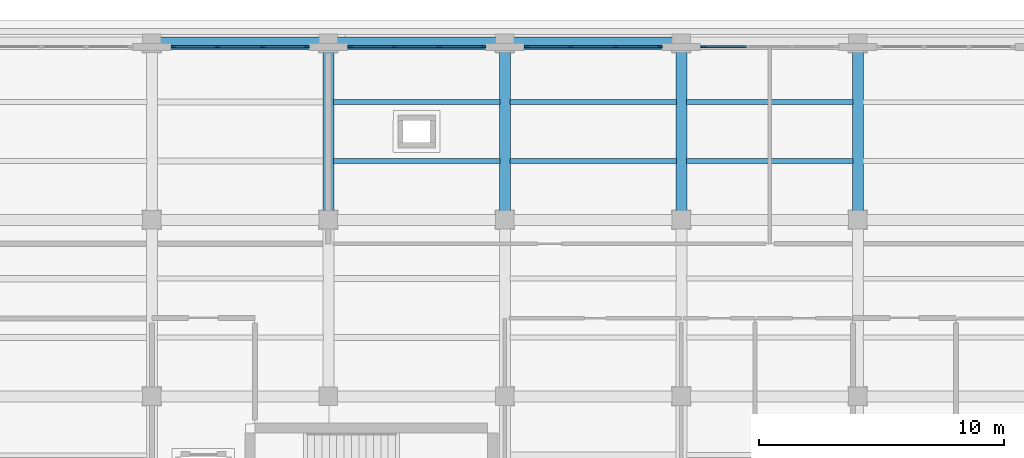
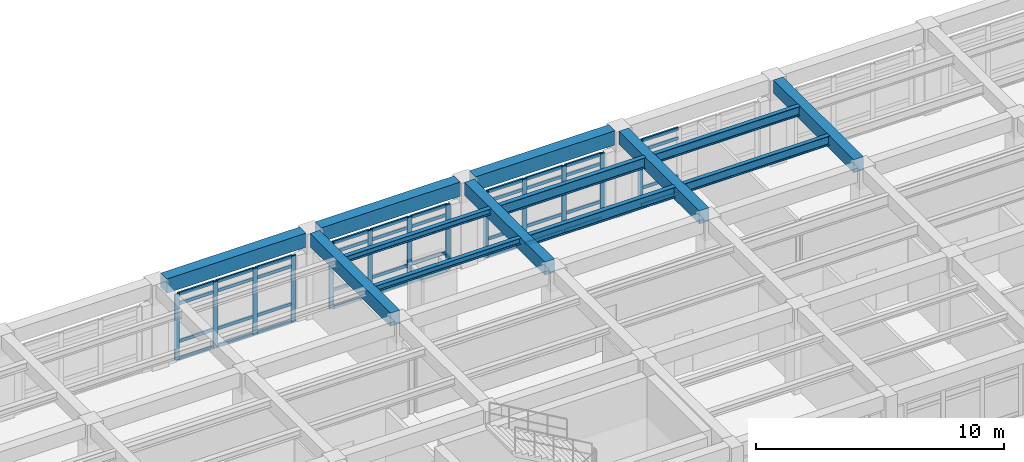
# One storey, part 30 of 67: 53 members, 13 beams, 4 elements without a shape of their own.
"""IFC4 building model written with IfcOpenShell, lengths in metres."""

from ifc_helpers import new_model, si_unit, direction, frame, origin, origin_2d, place, context, subcontext, project, spatial, rectangle, i_section, extrude, material, layer, layer_set, material_profile, profile_set, type_object, element, aggregate, save


model = new_model("IFC4")

# Units and contexts
model_context = context("Model", 3, precision=1e-05, world=origin(), true_north=direction((0.0, 1.0)))
body_context = subcontext(model_context, "Body", "Model", "MODEL_VIEW")
ifc_project = project(units=[si_unit("LENGTHUNIT", "METRE"), si_unit("AREAUNIT", "SQUARE_METRE"), si_unit("VOLUMEUNIT", "CUBIC_METRE"), si_unit("PLANEANGLEUNIT", "RADIAN"), si_unit("MASSUNIT", "GRAM", prefix="KILO")], contexts=[model_context])

# Site, building, storey
site_placement = place(None, origin())
site = spatial("IfcSite", under=ifc_project, at=site_placement, CompositionType="ELEMENT")
building_placement = place(site_placement, origin())
building = spatial("IfcBuilding", under=site, at=building_placement, Name="Solenvale Faculty of Natural Sciences", CompositionType="ELEMENT")
storey_placement = place(building_placement, frame((0.0, 0.0, 13.5)))
storey = spatial("IfcBuildingStorey", under=building, at=storey_placement, Name="L03", CompositionType="ELEMENT", Elevation=13.5)

# Beams
ifc_material_1 = material(Name="Concrete 40 MPa", Category="concrete")
ifc_material_profile_1 = material_profile(ifc_material_1, rectangle(XDim=0.449951171875, YDim=0.64990234375, at=origin_2d()), Name="RC-BM-450x650")
ifc_profile_set_1 = profile_set([ifc_material_profile_1], Name="Concrete 40 MPa")
beam_type_1 = type_object("IfcBeamType", Name="BM-RC-450x650", PredefinedType="BEAM", material=ifc_profile_set_1)
for number, where, z_axis, x_axis, name in (
    (1, (108.0, 108.35498046875, 3.89501953125), (0.0, 1.0, 0.0), (-1.0, 0.0, 0.0), "L03 Y-Girder X108.0 (108.0..115.2)"),
    (2, (115.199951171875, 108.35498046875, 3.89501953125), (0.0, 1.0, 0.0), (-1.0, 0.0, 0.0), "L03 Y-Girder X115.2 (108.0..115.2)"),
    (3, (122.39990234375, 108.35498046875, 3.89501953125), (0.0, 1.0, 0.0), (-1.0, 0.0, 0.0), "L03 Y-Girder X122.4 (108.0..115.2)"),
    (4, (129.60009765625, 108.35498046875, 3.89501953125), (0.0, 1.0, 0.0), (-1.0, 0.0, 0.0), "L03 Y-Girder X129.6 (108.0..115.2)"),
):
    element("IfcBeam", number, at=place(storey_placement, frame(where, z_axis=z_axis, x_axis=x_axis)), inside=storey, type_object=beam_type_1, Name=name, PredefinedType="BEAM", context=body_context, shape_type="SweptSolid", body=[
        extrude(rectangle(XDim=0.449951171875, YDim=0.64990234375, at=origin_2d()), origin(), (0.0, 0.0, 1.0), 6.489990234375),
    ])
ifc_material_2 = material(Name="Precast concrete 40 MPa", Category="concrete")
ifc_material_profile_2 = material_profile(ifc_material_2, rectangle(XDim=0.5, YDim=0.699951171875, at=origin_2d()), Name="RC-BM-500x700")
ifc_profile_set_2 = profile_set([ifc_material_profile_2], Name="Precast concrete 40 MPa")
beam_type_2 = type_object("IfcBeamType", Name="BM-SPN-PRC-700", PredefinedType="SPANDREL", material=ifc_profile_set_2)
for number, where, z_axis, x_axis, name in (
    (5, (101.155029296875, 115.199951171875, 3.8701171875), (1.0, 0.0, 0.0), (0.0, 1.0, 0.0), "L03 X-Girder Y115.2 (100.8..108.0)"),
    (6, (108.35498046875, 115.199951171875, 3.8701171875), (1.0, 0.0, 0.0), (0.0, 1.0, 0.0), "L03 X-Girder Y115.2 (108.0..115.2)"),
    (7, (115.554931640625, 115.199951171875, 3.8701171875), (1.0, 0.0, 0.0), (0.0, 1.0, 0.0), "L03 X-Girder Y115.2 (115.2..122.4)"),
):
    element("IfcBeam", number, at=place(storey_placement, frame(where, z_axis=z_axis, x_axis=x_axis)), inside=storey, type_object=beam_type_2, Name=name, PredefinedType="SPANDREL", context=body_context, shape_type="SweptSolid", body=[
        extrude(rectangle(XDim=0.5, YDim=0.699951171875, at=origin_2d()), origin(), (0.0, 0.0, 1.0), 6.489990234375),
    ])
ifc_material_3 = material(Name="Steel S355", Category="steel")
ifc_material_profile_3 = material_profile(ifc_material_3, i_section(OverallWidth=0.202880859375, OverallDepth=0.302978515625, WebThickness=0.007568359375, FlangeThickness=0.01318359375, FilletRadius=0.014892578125, at=origin_2d()), Name="W310x60")
ifc_profile_set_3 = profile_set([ifc_material_profile_3], Name="Steel S355")
beam_type_3 = type_object("IfcBeamType", Name="BM-STL-W310x60", PredefinedType="JOIST", material=ifc_profile_set_3)
for number, where, z_axis, x_axis, name in (
    (8, (108.205078125, 110.39990234375, 4.068603515625), (1.0, 0.0, 0.0), (0.0, 1.0, 0.0), "L03 Composite Floor Joist (16,16).1"),
    (9, (108.205078125, 112.800048828125, 4.068603515625), (1.0, 0.0, 0.0), (0.0, 1.0, 0.0), "L03 Composite Floor Joist (16,16).2"),
):
    element("IfcBeam", number, at=place(storey_placement, frame(where, z_axis=z_axis, x_axis=x_axis)), inside=storey, type_object=beam_type_3, Name=name, PredefinedType="JOIST", context=body_context, shape_type="SweptSolid", body=[
        extrude(i_section(OverallWidth=0.202880859375, OverallDepth=0.302978515625, WebThickness=0.007568359375, FlangeThickness=0.01318359375, FilletRadius=0.014892578125, at=origin_2d()), origin(), (0.0, 0.0, 1.0), 6.7900390625),
    ])
ifc_material_profile_4 = material_profile(ifc_material_3, i_section(OverallWidth=0.194091796875, OverallDepth=0.468994140625, WebThickness=0.0126953125, FlangeThickness=0.0205078125, FilletRadius=0.01806640625, at=origin_2d()), Name="W460x106")
ifc_profile_set_4 = profile_set([ifc_material_profile_4], Name="Steel S355")
beam_type_4 = type_object("IfcBeamType", Name="BM-STL-W460x106", PredefinedType="JOIST", material=ifc_profile_set_4)
for number, where, z_axis, x_axis, name in (
    (10, (122.60498046875, 110.39990234375, 3.985595703125), (1.0, 0.0, 0.0), (0.0, 1.0, 0.0), "L03 Composite Floor Joist (18,16).1"),
    (11, (122.60498046875, 112.800048828125, 3.985595703125), (1.0, 0.0, 0.0), (0.0, 1.0, 0.0), "L03 Composite Floor Joist (18,16).2"),
):
    element("IfcBeam", number, at=place(storey_placement, frame(where, z_axis=z_axis, x_axis=x_axis)), inside=storey, type_object=beam_type_4, Name=name, PredefinedType="JOIST", context=body_context, shape_type="SweptSolid", body=[
        extrude(i_section(OverallWidth=0.194091796875, OverallDepth=0.468994140625, WebThickness=0.0126953125, FlangeThickness=0.0205078125, FilletRadius=0.01806640625, at=origin_2d()), origin(), (0.0, 0.0, 1.0), 6.7900390625),
    ])
ifc_material_profile_5 = material_profile(ifc_material_3, i_section(OverallWidth=0.208984375, OverallDepth=0.532958984375, WebThickness=0.01025390625, FlangeThickness=0.015625, FilletRadius=0.01904296875, at=origin_2d()), Name="W530x92")
ifc_profile_set_5 = profile_set([ifc_material_profile_5], Name="Steel S355")
beam_type_5 = type_object("IfcBeamType", Name="BM-STL-W530x92", PredefinedType="JOIST", material=ifc_profile_set_5)
for number, where, z_axis, x_axis, name in (
    (12, (115.405029296875, 110.39990234375, 3.95361328125), (1.0, 0.0, 0.0), (0.0, 1.0, 0.0), "L03 Composite Floor Joist (17,16).1"),
    (13, (115.405029296875, 112.800048828125, 3.95361328125), (1.0, 0.0, 0.0), (0.0, 1.0, 0.0), "L03 Composite Floor Joist (17,16).2"),
):
    element("IfcBeam", number, at=place(storey_placement, frame(where, z_axis=z_axis, x_axis=x_axis)), inside=storey, type_object=beam_type_5, Name=name, PredefinedType="JOIST", context=body_context, shape_type="SweptSolid", body=[
        extrude(i_section(OverallWidth=0.208984375, OverallDepth=0.532958984375, WebThickness=0.01025390625, FlangeThickness=0.015625, FilletRadius=0.01904296875, at=origin_2d()), origin(), (0.0, 0.0, 1.0), 6.7900390625),
    ])

# Curtain wall, member
ifc_material_4 = material(Name="Anodised bronze aluminium", Category="aluminium")
ifc_layer = layer(ifc_material_4, 0.179931640625)
ifc_layer_set = layer_set([ifc_layer], Name="Anodised bronze aluminium")
curtain_wall_type = type_object("IfcCurtainWallType", Name="CW-TWR-MOD", PredefinedType="USERDEFINED", material=ifc_layer_set)
curtain_wall_1_placement = place(storey_placement, origin())
curtain_wall_1 = element("IfcCurtainWall", 14, at=curtain_wall_1_placement, inside=storey, type_object=curtain_wall_type, Name="L03 Curtain Wall CW-L03-P3-E4-B4", ObjectType="UNITISED CURTAIN WALL", PredefinedType="USERDEFINED")
ifc_material_profile_6 = material_profile(ifc_material_4, rectangle(XDim=0.074951171875, YDim=0.2099609375, at=origin_2d()), Name="ALU-MUL-75x210")
ifc_profile_set_6 = profile_set([ifc_material_profile_6], Name="Anodised bronze aluminium")
member_type_1 = type_object("IfcMemberType", Name="CWM-ALU-75x210", PredefinedType="MULLION", material=ifc_profile_set_6)
member_1_placement = place(storey_placement, frame((123.28759765625, 115.0576171875, 0.0), z_axis=(0.0, 0.0, 1.0), x_axis=(0.0, -1.0, 0.0)))
member_1 = element("IfcMember", 15, at=member_1_placement, type_object=member_type_1, Name="CW-04 mullion 4", PredefinedType="MULLION", context=body_context, shape_type="SweptSolid", body=[
    extrude(rectangle(XDim=0.074951171875, YDim=0.2099609375, at=origin_2d()), origin(), (0.0, 0.0, 1.0), 3.260009765625),
])

# Curtain wall, members
curtain_wall_2_placement = place(storey_placement, origin())
curtain_wall_2 = element("IfcCurtainWall", 16, at=curtain_wall_2_placement, inside=storey, type_object=curtain_wall_type, Name="L03 Curtain Wall CW-L03-P3-E4-B5", ObjectType="UNITISED CURTAIN WALL", PredefinedType="USERDEFINED")
member_2_placement = place(storey_placement, frame((121.512451171875, 115.0576171875, 0.0), z_axis=(0.0, 0.0, 1.0), x_axis=(0.0, -1.0, 0.0)))
member_2 = element("IfcMember", 17, at=member_2_placement, type_object=member_type_1, Name="CW-04 mullion 1", PredefinedType="MULLION", context=body_context, shape_type="SweptSolid", body=[
    extrude(rectangle(XDim=0.074951171875, YDim=0.2099609375, at=origin_2d()), origin(), (0.0, 0.0, 1.0), 3.260009765625),
])
member_3_placement = place(storey_placement, frame((119.716552734375, 115.0576171875, 0.0), z_axis=(0.0, 0.0, 1.0), x_axis=(0.0, -1.0, 0.0)))
member_3 = element("IfcMember", 18, at=member_3_placement, type_object=member_type_1, Name="CW-04 mullion 2", PredefinedType="MULLION", context=body_context, shape_type="SweptSolid", body=[
    extrude(rectangle(XDim=0.074951171875, YDim=0.2099609375, at=origin_2d()), origin(), (0.0, 0.0, 1.0), 3.260009765625),
])
member_4_placement = place(storey_placement, frame((117.88330078125, 115.0576171875, 0.0), z_axis=(0.0, 0.0, 1.0), x_axis=(0.0, -1.0, 0.0)))
member_4 = element("IfcMember", 19, at=member_4_placement, type_object=member_type_1, Name="CW-04 mullion 3", PredefinedType="MULLION", context=body_context, shape_type="SweptSolid", body=[
    extrude(rectangle(XDim=0.074951171875, YDim=0.2099609375, at=origin_2d()), origin(), (0.0, 0.0, 1.0), 3.260009765625),
])
member_5_placement = place(storey_placement, frame((116.08740234375, 115.0576171875, 0.0), z_axis=(0.0, 0.0, 1.0), x_axis=(0.0, -1.0, 0.0)))
member_5 = element("IfcMember", 20, at=member_5_placement, type_object=member_type_1, Name="CW-04 mullion 4", PredefinedType="MULLION", context=body_context, shape_type="SweptSolid", body=[
    extrude(rectangle(XDim=0.074951171875, YDim=0.2099609375, at=origin_2d()), origin(), (0.0, 0.0, 1.0), 3.260009765625),
])

curtain_wall_3_placement = place(storey_placement, origin())
curtain_wall_3 = element("IfcCurtainWall", 21, at=curtain_wall_3_placement, inside=storey, type_object=curtain_wall_type, Name="L03 Curtain Wall CW-L03-P3-E4-B6", ObjectType="UNITISED CURTAIN WALL", PredefinedType="USERDEFINED")
member_6_placement = place(storey_placement, frame((114.3125, 115.0576171875, 0.0), z_axis=(0.0, 0.0, 1.0), x_axis=(0.0, -1.0, 0.0)))
member_6 = element("IfcMember", 22, at=member_6_placement, type_object=member_type_1, Name="CW-04 mullion 1", PredefinedType="MULLION", context=body_context, shape_type="SweptSolid", body=[
    extrude(rectangle(XDim=0.074951171875, YDim=0.2099609375, at=origin_2d()), origin(), (0.0, 0.0, 1.0), 3.260009765625),
])
member_7_placement = place(storey_placement, frame((112.5166015625, 115.0576171875, 0.0), z_axis=(0.0, 0.0, 1.0), x_axis=(0.0, -1.0, 0.0)))
member_7 = element("IfcMember", 23, at=member_7_placement, type_object=member_type_1, Name="CW-04 mullion 2", PredefinedType="MULLION", context=body_context, shape_type="SweptSolid", body=[
    extrude(rectangle(XDim=0.074951171875, YDim=0.2099609375, at=origin_2d()), origin(), (0.0, 0.0, 1.0), 3.260009765625),
])
member_8_placement = place(storey_placement, frame((110.683349609375, 115.0576171875, 0.0), z_axis=(0.0, 0.0, 1.0), x_axis=(0.0, -1.0, 0.0)))
member_8 = element("IfcMember", 24, at=member_8_placement, type_object=member_type_1, Name="CW-04 mullion 3", PredefinedType="MULLION", context=body_context, shape_type="SweptSolid", body=[
    extrude(rectangle(XDim=0.074951171875, YDim=0.2099609375, at=origin_2d()), origin(), (0.0, 0.0, 1.0), 3.260009765625),
])
member_9_placement = place(storey_placement, frame((108.887451171875, 115.0576171875, 0.0), z_axis=(0.0, 0.0, 1.0), x_axis=(0.0, -1.0, 0.0)))
member_9 = element("IfcMember", 25, at=member_9_placement, type_object=member_type_1, Name="CW-04 mullion 4", PredefinedType="MULLION", context=body_context, shape_type="SweptSolid", body=[
    extrude(rectangle(XDim=0.074951171875, YDim=0.2099609375, at=origin_2d()), origin(), (0.0, 0.0, 1.0), 3.260009765625),
])

curtain_wall_4_placement = place(storey_placement, origin())
curtain_wall_4 = element("IfcCurtainWall", 26, at=curtain_wall_4_placement, inside=storey, type_object=curtain_wall_type, Name="L03 Curtain Wall CW-L03-P3-E4-B7", ObjectType="UNITISED CURTAIN WALL", PredefinedType="USERDEFINED")
member_10_placement = place(storey_placement, frame((107.112548828125, 115.0576171875, 0.0), z_axis=(0.0, 0.0, 1.0), x_axis=(0.0, -1.0, 0.0)))
member_10 = element("IfcMember", 27, at=member_10_placement, type_object=member_type_1, Name="CW-04 mullion 1", PredefinedType="MULLION", context=body_context, shape_type="SweptSolid", body=[
    extrude(rectangle(XDim=0.074951171875, YDim=0.2099609375, at=origin_2d()), origin(), (0.0, 0.0, 1.0), 3.260009765625),
])
member_11_placement = place(storey_placement, frame((105.316650390625, 115.0576171875, 0.0), z_axis=(0.0, 0.0, 1.0), x_axis=(0.0, -1.0, 0.0)))
member_11 = element("IfcMember", 28, at=member_11_placement, type_object=member_type_1, Name="CW-04 mullion 2", PredefinedType="MULLION", context=body_context, shape_type="SweptSolid", body=[
    extrude(rectangle(XDim=0.074951171875, YDim=0.2099609375, at=origin_2d()), origin(), (0.0, 0.0, 1.0), 3.260009765625),
])
member_12_placement = place(storey_placement, frame((103.4833984375, 115.0576171875, 0.0), z_axis=(0.0, 0.0, 1.0), x_axis=(0.0, -1.0, 0.0)))
member_12 = element("IfcMember", 29, at=member_12_placement, type_object=member_type_1, Name="CW-04 mullion 3", PredefinedType="MULLION", context=body_context, shape_type="SweptSolid", body=[
    extrude(rectangle(XDim=0.074951171875, YDim=0.2099609375, at=origin_2d()), origin(), (0.0, 0.0, 1.0), 3.260009765625),
])
member_13_placement = place(storey_placement, frame((101.6875, 115.0576171875, 0.0), z_axis=(0.0, 0.0, 1.0), x_axis=(0.0, -1.0, 0.0)))
member_13 = element("IfcMember", 30, at=member_13_placement, type_object=member_type_1, Name="CW-04 mullion 4", PredefinedType="MULLION", context=body_context, shape_type="SweptSolid", body=[
    extrude(rectangle(XDim=0.074951171875, YDim=0.2099609375, at=origin_2d()), origin(), (0.0, 0.0, 1.0), 3.260009765625),
])

# Member
ifc_material_profile_7 = material_profile(ifc_material_4, rectangle(XDim=0.074951171875, YDim=0.155029296875, at=origin_2d()), Name="ALU-TRN-75x155")
ifc_profile_set_7 = profile_set([ifc_material_profile_7], Name="Anodised bronze aluminium")
member_type_2 = type_object("IfcMemberType", Name="CWT-ALU-75x155", PredefinedType="USERDEFINED", material=ifc_profile_set_7)
member_14_placement = place(storey_placement, frame((125.0458984375, 115.0576171875, 0.03759765625), z_axis=(-1.0, 0.0, 0.0), x_axis=(0.0, -1.0, 0.0)))
member_14 = element("IfcMember", 31, at=member_14_placement, type_object=member_type_2, Name="CW-04 transom 3.1", ObjectType="TRANSOM", PredefinedType="USERDEFINED", context=body_context, shape_type="SweptSolid", body=[
    extrude(rectangle(XDim=0.074951171875, YDim=0.155029296875, at=origin_2d()), origin(), (0.0, 0.0, 1.0), 1.720947265625),
])

member_15_placement = place(storey_placement, frame((125.0458984375, 115.0576171875, 0.89990234375), z_axis=(-1.0, 0.0, 0.0), x_axis=(0.0, -1.0, 0.0)))
member_15 = element("IfcMember", 32, at=member_15_placement, type_object=member_type_2, Name="CW-04 transom 3.2", ObjectType="TRANSOM", PredefinedType="USERDEFINED", context=body_context, shape_type="SweptSolid", body=[
    extrude(rectangle(XDim=0.074951171875, YDim=0.155029296875, at=origin_2d()), origin(), (0.0, 0.0, 1.0), 1.720947265625),
])

member_16_placement = place(storey_placement, frame((125.0458984375, 115.0576171875, 2.760009765625), z_axis=(-1.0, 0.0, 0.0), x_axis=(0.0, -1.0, 0.0)))
member_16 = element("IfcMember", 33, at=member_16_placement, type_object=member_type_2, Name="CW-04 transom 3.3", ObjectType="TRANSOM", PredefinedType="USERDEFINED", context=body_context, shape_type="SweptSolid", body=[
    extrude(rectangle(XDim=0.074951171875, YDim=0.155029296875, at=origin_2d()), origin(), (0.0, 0.0, 1.0), 1.720947265625),
])

member_17_placement = place(storey_placement, frame((125.0458984375, 115.0576171875, 3.222412109375), z_axis=(-1.0, 0.0, 0.0), x_axis=(0.0, -1.0, 0.0)))
member_17 = element("IfcMember", 34, at=member_17_placement, type_object=member_type_2, Name="CW-04 transom 3.4", ObjectType="TRANSOM", PredefinedType="USERDEFINED", context=body_context, shape_type="SweptSolid", body=[
    extrude(rectangle(XDim=0.074951171875, YDim=0.155029296875, at=origin_2d()), origin(), (0.0, 0.0, 1.0), 1.720947265625),
])

aggregate(curtain_wall_1, [member_1, member_14, member_15, member_16, member_17])

member_18_placement = place(storey_placement, frame((121.47509765625, 115.0576171875, 0.03759765625), z_axis=(-1.0, 0.0, 0.0), x_axis=(0.0, -1.0, 0.0)))
member_18 = element("IfcMember", 35, at=member_18_placement, type_object=member_type_2, Name="CW-04 transom 1.1", ObjectType="TRANSOM", PredefinedType="USERDEFINED", context=body_context, shape_type="SweptSolid", body=[
    extrude(rectangle(XDim=0.074951171875, YDim=0.155029296875, at=origin_2d()), origin(), (0.0, 0.0, 1.0), 1.720947265625),
])

member_19_placement = place(storey_placement, frame((121.47509765625, 115.0576171875, 0.89990234375), z_axis=(-1.0, 0.0, 0.0), x_axis=(0.0, -1.0, 0.0)))
member_19 = element("IfcMember", 36, at=member_19_placement, type_object=member_type_2, Name="CW-04 transom 1.2", ObjectType="TRANSOM", PredefinedType="USERDEFINED", context=body_context, shape_type="SweptSolid", body=[
    extrude(rectangle(XDim=0.074951171875, YDim=0.155029296875, at=origin_2d()), origin(), (0.0, 0.0, 1.0), 1.720947265625),
])

member_20_placement = place(storey_placement, frame((121.47509765625, 115.0576171875, 2.760009765625), z_axis=(-1.0, 0.0, 0.0), x_axis=(0.0, -1.0, 0.0)))
member_20 = element("IfcMember", 37, at=member_20_placement, type_object=member_type_2, Name="CW-04 transom 1.3", ObjectType="TRANSOM", PredefinedType="USERDEFINED", context=body_context, shape_type="SweptSolid", body=[
    extrude(rectangle(XDim=0.074951171875, YDim=0.155029296875, at=origin_2d()), origin(), (0.0, 0.0, 1.0), 1.720947265625),
])

member_21_placement = place(storey_placement, frame((121.47509765625, 115.0576171875, 3.222412109375), z_axis=(-1.0, 0.0, 0.0), x_axis=(0.0, -1.0, 0.0)))
member_21 = element("IfcMember", 38, at=member_21_placement, type_object=member_type_2, Name="CW-04 transom 1.4", ObjectType="TRANSOM", PredefinedType="USERDEFINED", context=body_context, shape_type="SweptSolid", body=[
    extrude(rectangle(XDim=0.074951171875, YDim=0.155029296875, at=origin_2d()), origin(), (0.0, 0.0, 1.0), 1.720947265625),
])

member_22_placement = place(storey_placement, frame((119.67919921875, 115.0576171875, 0.03759765625), z_axis=(-1.0, 0.0, 0.0), x_axis=(0.0, -1.0, 0.0)))
member_22 = element("IfcMember", 39, at=member_22_placement, type_object=member_type_2, Name="CW-04 transom 2.1", ObjectType="TRANSOM", PredefinedType="USERDEFINED", context=body_context, shape_type="SweptSolid", body=[
    extrude(rectangle(XDim=0.074951171875, YDim=0.155029296875, at=origin_2d()), origin(), (0.0, 0.0, 1.0), 1.75830078125),
])

member_23_placement = place(storey_placement, frame((119.67919921875, 115.0576171875, 0.89990234375), z_axis=(-1.0, 0.0, 0.0), x_axis=(0.0, -1.0, 0.0)))
member_23 = element("IfcMember", 40, at=member_23_placement, type_object=member_type_2, Name="CW-04 transom 2.2", ObjectType="TRANSOM", PredefinedType="USERDEFINED", context=body_context, shape_type="SweptSolid", body=[
    extrude(rectangle(XDim=0.074951171875, YDim=0.155029296875, at=origin_2d()), origin(), (0.0, 0.0, 1.0), 1.75830078125),
])

member_24_placement = place(storey_placement, frame((119.67919921875, 115.0576171875, 2.760009765625), z_axis=(-1.0, 0.0, 0.0), x_axis=(0.0, -1.0, 0.0)))
member_24 = element("IfcMember", 41, at=member_24_placement, type_object=member_type_2, Name="CW-04 transom 2.3", ObjectType="TRANSOM", PredefinedType="USERDEFINED", context=body_context, shape_type="SweptSolid", body=[
    extrude(rectangle(XDim=0.074951171875, YDim=0.155029296875, at=origin_2d()), origin(), (0.0, 0.0, 1.0), 1.75830078125),
])

member_25_placement = place(storey_placement, frame((119.67919921875, 115.0576171875, 3.222412109375), z_axis=(-1.0, 0.0, 0.0), x_axis=(0.0, -1.0, 0.0)))
member_25 = element("IfcMember", 42, at=member_25_placement, type_object=member_type_2, Name="CW-04 transom 2.4", ObjectType="TRANSOM", PredefinedType="USERDEFINED", context=body_context, shape_type="SweptSolid", body=[
    extrude(rectangle(XDim=0.074951171875, YDim=0.155029296875, at=origin_2d()), origin(), (0.0, 0.0, 1.0), 1.75830078125),
])

member_26_placement = place(storey_placement, frame((117.845947265625, 115.0576171875, 0.03759765625), z_axis=(-1.0, 0.0, 0.0), x_axis=(0.0, -1.0, 0.0)))
member_26 = element("IfcMember", 43, at=member_26_placement, type_object=member_type_2, Name="CW-04 transom 3.1", ObjectType="TRANSOM", PredefinedType="USERDEFINED", context=body_context, shape_type="SweptSolid", body=[
    extrude(rectangle(XDim=0.074951171875, YDim=0.155029296875, at=origin_2d()), origin(), (0.0, 0.0, 1.0), 1.720947265625),
])

member_27_placement = place(storey_placement, frame((117.845947265625, 115.0576171875, 0.89990234375), z_axis=(-1.0, 0.0, 0.0), x_axis=(0.0, -1.0, 0.0)))
member_27 = element("IfcMember", 44, at=member_27_placement, type_object=member_type_2, Name="CW-04 transom 3.2", ObjectType="TRANSOM", PredefinedType="USERDEFINED", context=body_context, shape_type="SweptSolid", body=[
    extrude(rectangle(XDim=0.074951171875, YDim=0.155029296875, at=origin_2d()), origin(), (0.0, 0.0, 1.0), 1.720947265625),
])

member_28_placement = place(storey_placement, frame((117.845947265625, 115.0576171875, 2.760009765625), z_axis=(-1.0, 0.0, 0.0), x_axis=(0.0, -1.0, 0.0)))
member_28 = element("IfcMember", 45, at=member_28_placement, type_object=member_type_2, Name="CW-04 transom 3.3", ObjectType="TRANSOM", PredefinedType="USERDEFINED", context=body_context, shape_type="SweptSolid", body=[
    extrude(rectangle(XDim=0.074951171875, YDim=0.155029296875, at=origin_2d()), origin(), (0.0, 0.0, 1.0), 1.720947265625),
])

member_29_placement = place(storey_placement, frame((117.845947265625, 115.0576171875, 3.222412109375), z_axis=(-1.0, 0.0, 0.0), x_axis=(0.0, -1.0, 0.0)))
member_29 = element("IfcMember", 46, at=member_29_placement, type_object=member_type_2, Name="CW-04 transom 3.4", ObjectType="TRANSOM", PredefinedType="USERDEFINED", context=body_context, shape_type="SweptSolid", body=[
    extrude(rectangle(XDim=0.074951171875, YDim=0.155029296875, at=origin_2d()), origin(), (0.0, 0.0, 1.0), 1.720947265625),
])

aggregate(curtain_wall_2, [member_2, member_3, member_4, member_5, member_18, member_19, member_20, member_21, member_22, member_23, member_24, member_25, member_26, member_27, member_28, member_29])

member_30_placement = place(storey_placement, frame((114.27490234375, 115.0576171875, 0.03759765625), z_axis=(-1.0, 0.0, 0.0), x_axis=(0.0, -1.0, 0.0)))
member_30 = element("IfcMember", 47, at=member_30_placement, type_object=member_type_2, Name="CW-04 transom 1.1", ObjectType="TRANSOM", PredefinedType="USERDEFINED", context=body_context, shape_type="SweptSolid", body=[
    extrude(rectangle(XDim=0.074951171875, YDim=0.155029296875, at=origin_2d()), origin(), (0.0, 0.0, 1.0), 1.720703125),
])

member_31_placement = place(storey_placement, frame((114.27490234375, 115.0576171875, 0.89990234375), z_axis=(-1.0, 0.0, 0.0), x_axis=(0.0, -1.0, 0.0)))
member_31 = element("IfcMember", 48, at=member_31_placement, type_object=member_type_2, Name="CW-04 transom 1.2", ObjectType="TRANSOM", PredefinedType="USERDEFINED", context=body_context, shape_type="SweptSolid", body=[
    extrude(rectangle(XDim=0.074951171875, YDim=0.155029296875, at=origin_2d()), origin(), (0.0, 0.0, 1.0), 1.720703125),
])

member_32_placement = place(storey_placement, frame((114.27490234375, 115.0576171875, 2.760009765625), z_axis=(-1.0, 0.0, 0.0), x_axis=(0.0, -1.0, 0.0)))
member_32 = element("IfcMember", 49, at=member_32_placement, type_object=member_type_2, Name="CW-04 transom 1.3", ObjectType="TRANSOM", PredefinedType="USERDEFINED", context=body_context, shape_type="SweptSolid", body=[
    extrude(rectangle(XDim=0.074951171875, YDim=0.155029296875, at=origin_2d()), origin(), (0.0, 0.0, 1.0), 1.720703125),
])

member_33_placement = place(storey_placement, frame((114.27490234375, 115.0576171875, 3.222412109375), z_axis=(-1.0, 0.0, 0.0), x_axis=(0.0, -1.0, 0.0)))
member_33 = element("IfcMember", 50, at=member_33_placement, type_object=member_type_2, Name="CW-04 transom 1.4", ObjectType="TRANSOM", PredefinedType="USERDEFINED", context=body_context, shape_type="SweptSolid", body=[
    extrude(rectangle(XDim=0.074951171875, YDim=0.155029296875, at=origin_2d()), origin(), (0.0, 0.0, 1.0), 1.720703125),
])

member_34_placement = place(storey_placement, frame((112.479248046875, 115.0576171875, 0.03759765625), z_axis=(-1.0, 0.0, 0.0), x_axis=(0.0, -1.0, 0.0)))
member_34 = element("IfcMember", 51, at=member_34_placement, type_object=member_type_2, Name="CW-04 transom 2.1", ObjectType="TRANSOM", PredefinedType="USERDEFINED", context=body_context, shape_type="SweptSolid", body=[
    extrude(rectangle(XDim=0.074951171875, YDim=0.155029296875, at=origin_2d()), origin(), (0.0, 0.0, 1.0), 1.75830078125),
])

member_35_placement = place(storey_placement, frame((112.479248046875, 115.0576171875, 0.89990234375), z_axis=(-1.0, 0.0, 0.0), x_axis=(0.0, -1.0, 0.0)))
member_35 = element("IfcMember", 52, at=member_35_placement, type_object=member_type_2, Name="CW-04 transom 2.2", ObjectType="TRANSOM", PredefinedType="USERDEFINED", context=body_context, shape_type="SweptSolid", body=[
    extrude(rectangle(XDim=0.074951171875, YDim=0.155029296875, at=origin_2d()), origin(), (0.0, 0.0, 1.0), 1.75830078125),
])

member_36_placement = place(storey_placement, frame((112.479248046875, 115.0576171875, 2.760009765625), z_axis=(-1.0, 0.0, 0.0), x_axis=(0.0, -1.0, 0.0)))
member_36 = element("IfcMember", 53, at=member_36_placement, type_object=member_type_2, Name="CW-04 transom 2.3", ObjectType="TRANSOM", PredefinedType="USERDEFINED", context=body_context, shape_type="SweptSolid", body=[
    extrude(rectangle(XDim=0.074951171875, YDim=0.155029296875, at=origin_2d()), origin(), (0.0, 0.0, 1.0), 1.75830078125),
])

member_37_placement = place(storey_placement, frame((112.479248046875, 115.0576171875, 3.222412109375), z_axis=(-1.0, 0.0, 0.0), x_axis=(0.0, -1.0, 0.0)))
member_37 = element("IfcMember", 54, at=member_37_placement, type_object=member_type_2, Name="CW-04 transom 2.4", ObjectType="TRANSOM", PredefinedType="USERDEFINED", context=body_context, shape_type="SweptSolid", body=[
    extrude(rectangle(XDim=0.074951171875, YDim=0.155029296875, at=origin_2d()), origin(), (0.0, 0.0, 1.0), 1.75830078125),
])

member_38_placement = place(storey_placement, frame((110.645751953125, 115.0576171875, 0.03759765625), z_axis=(-1.0, 0.0, 0.0), x_axis=(0.0, -1.0, 0.0)))
member_38 = element("IfcMember", 55, at=member_38_placement, type_object=member_type_2, Name="CW-04 transom 3.1", ObjectType="TRANSOM", PredefinedType="USERDEFINED", context=body_context, shape_type="SweptSolid", body=[
    extrude(rectangle(XDim=0.074951171875, YDim=0.155029296875, at=origin_2d()), origin(), (0.0, 0.0, 1.0), 1.720703125),
])

member_39_placement = place(storey_placement, frame((110.645751953125, 115.0576171875, 0.89990234375), z_axis=(-1.0, 0.0, 0.0), x_axis=(0.0, -1.0, 0.0)))
member_39 = element("IfcMember", 56, at=member_39_placement, type_object=member_type_2, Name="CW-04 transom 3.2", ObjectType="TRANSOM", PredefinedType="USERDEFINED", context=body_context, shape_type="SweptSolid", body=[
    extrude(rectangle(XDim=0.074951171875, YDim=0.155029296875, at=origin_2d()), origin(), (0.0, 0.0, 1.0), 1.720703125),
])

member_40_placement = place(storey_placement, frame((110.645751953125, 115.0576171875, 2.760009765625), z_axis=(-1.0, 0.0, 0.0), x_axis=(0.0, -1.0, 0.0)))
member_40 = element("IfcMember", 57, at=member_40_placement, type_object=member_type_2, Name="CW-04 transom 3.3", ObjectType="TRANSOM", PredefinedType="USERDEFINED", context=body_context, shape_type="SweptSolid", body=[
    extrude(rectangle(XDim=0.074951171875, YDim=0.155029296875, at=origin_2d()), origin(), (0.0, 0.0, 1.0), 1.720703125),
])

member_41_placement = place(storey_placement, frame((110.645751953125, 115.0576171875, 3.222412109375), z_axis=(-1.0, 0.0, 0.0), x_axis=(0.0, -1.0, 0.0)))
member_41 = element("IfcMember", 58, at=member_41_placement, type_object=member_type_2, Name="CW-04 transom 3.4", ObjectType="TRANSOM", PredefinedType="USERDEFINED", context=body_context, shape_type="SweptSolid", body=[
    extrude(rectangle(XDim=0.074951171875, YDim=0.155029296875, at=origin_2d()), origin(), (0.0, 0.0, 1.0), 1.720703125),
])

aggregate(curtain_wall_3, [member_6, member_7, member_8, member_9, member_30, member_31, member_32, member_33, member_34, member_35, member_36, member_37, member_38, member_39, member_40, member_41])

member_42_placement = place(storey_placement, frame((107.074951171875, 115.0576171875, 0.03759765625), z_axis=(-1.0, 0.0, 0.0), x_axis=(0.0, -1.0, 0.0)))
member_42 = element("IfcMember", 59, at=member_42_placement, type_object=member_type_2, Name="CW-04 transom 1.1", ObjectType="TRANSOM", PredefinedType="USERDEFINED", context=body_context, shape_type="SweptSolid", body=[
    extrude(rectangle(XDim=0.074951171875, YDim=0.155029296875, at=origin_2d()), origin(), (0.0, 0.0, 1.0), 1.720703125),
])

member_43_placement = place(storey_placement, frame((107.074951171875, 115.0576171875, 0.89990234375), z_axis=(-1.0, 0.0, 0.0), x_axis=(0.0, -1.0, 0.0)))
member_43 = element("IfcMember", 60, at=member_43_placement, type_object=member_type_2, Name="CW-04 transom 1.2", ObjectType="TRANSOM", PredefinedType="USERDEFINED", context=body_context, shape_type="SweptSolid", body=[
    extrude(rectangle(XDim=0.074951171875, YDim=0.155029296875, at=origin_2d()), origin(), (0.0, 0.0, 1.0), 1.720703125),
])

member_44_placement = place(storey_placement, frame((107.074951171875, 115.0576171875, 2.760009765625), z_axis=(-1.0, 0.0, 0.0), x_axis=(0.0, -1.0, 0.0)))
member_44 = element("IfcMember", 61, at=member_44_placement, type_object=member_type_2, Name="CW-04 transom 1.3", ObjectType="TRANSOM", PredefinedType="USERDEFINED", context=body_context, shape_type="SweptSolid", body=[
    extrude(rectangle(XDim=0.074951171875, YDim=0.155029296875, at=origin_2d()), origin(), (0.0, 0.0, 1.0), 1.720703125),
])

member_45_placement = place(storey_placement, frame((107.074951171875, 115.0576171875, 3.222412109375), z_axis=(-1.0, 0.0, 0.0), x_axis=(0.0, -1.0, 0.0)))
member_45 = element("IfcMember", 62, at=member_45_placement, type_object=member_type_2, Name="CW-04 transom 1.4", ObjectType="TRANSOM", PredefinedType="USERDEFINED", context=body_context, shape_type="SweptSolid", body=[
    extrude(rectangle(XDim=0.074951171875, YDim=0.155029296875, at=origin_2d()), origin(), (0.0, 0.0, 1.0), 1.720703125),
])

member_46_placement = place(storey_placement, frame((105.279052734375, 115.0576171875, 0.03759765625), z_axis=(-1.0, 0.0, 0.0), x_axis=(0.0, -1.0, 0.0)))
member_46 = element("IfcMember", 63, at=member_46_placement, type_object=member_type_2, Name="CW-04 transom 2.1", ObjectType="TRANSOM", PredefinedType="USERDEFINED", context=body_context, shape_type="SweptSolid", body=[
    extrude(rectangle(XDim=0.074951171875, YDim=0.155029296875, at=origin_2d()), origin(), (0.0, 0.0, 1.0), 1.75830078125),
])

member_47_placement = place(storey_placement, frame((105.279052734375, 115.0576171875, 0.89990234375), z_axis=(-1.0, 0.0, 0.0), x_axis=(0.0, -1.0, 0.0)))
member_47 = element("IfcMember", 64, at=member_47_placement, type_object=member_type_2, Name="CW-04 transom 2.2", ObjectType="TRANSOM", PredefinedType="USERDEFINED", context=body_context, shape_type="SweptSolid", body=[
    extrude(rectangle(XDim=0.074951171875, YDim=0.155029296875, at=origin_2d()), origin(), (0.0, 0.0, 1.0), 1.75830078125),
])

member_48_placement = place(storey_placement, frame((105.279052734375, 115.0576171875, 2.760009765625), z_axis=(-1.0, 0.0, 0.0), x_axis=(0.0, -1.0, 0.0)))
member_48 = element("IfcMember", 65, at=member_48_placement, type_object=member_type_2, Name="CW-04 transom 2.3", ObjectType="TRANSOM", PredefinedType="USERDEFINED", context=body_context, shape_type="SweptSolid", body=[
    extrude(rectangle(XDim=0.074951171875, YDim=0.155029296875, at=origin_2d()), origin(), (0.0, 0.0, 1.0), 1.75830078125),
])

member_49_placement = place(storey_placement, frame((105.279052734375, 115.0576171875, 3.222412109375), z_axis=(-1.0, 0.0, 0.0), x_axis=(0.0, -1.0, 0.0)))
member_49 = element("IfcMember", 66, at=member_49_placement, type_object=member_type_2, Name="CW-04 transom 2.4", ObjectType="TRANSOM", PredefinedType="USERDEFINED", context=body_context, shape_type="SweptSolid", body=[
    extrude(rectangle(XDim=0.074951171875, YDim=0.155029296875, at=origin_2d()), origin(), (0.0, 0.0, 1.0), 1.75830078125),
])

member_50_placement = place(storey_placement, frame((103.44580078125, 115.0576171875, 0.03759765625), z_axis=(-1.0, 0.0, 0.0), x_axis=(0.0, -1.0, 0.0)))
member_50 = element("IfcMember", 67, at=member_50_placement, type_object=member_type_2, Name="CW-04 transom 3.1", ObjectType="TRANSOM", PredefinedType="USERDEFINED", context=body_context, shape_type="SweptSolid", body=[
    extrude(rectangle(XDim=0.074951171875, YDim=0.155029296875, at=origin_2d()), origin(), (0.0, 0.0, 1.0), 1.720703125),
])

member_51_placement = place(storey_placement, frame((103.44580078125, 115.0576171875, 0.89990234375), z_axis=(-1.0, 0.0, 0.0), x_axis=(0.0, -1.0, 0.0)))
member_51 = element("IfcMember", 68, at=member_51_placement, type_object=member_type_2, Name="CW-04 transom 3.2", ObjectType="TRANSOM", PredefinedType="USERDEFINED", context=body_context, shape_type="SweptSolid", body=[
    extrude(rectangle(XDim=0.074951171875, YDim=0.155029296875, at=origin_2d()), origin(), (0.0, 0.0, 1.0), 1.720703125),
])

member_52_placement = place(storey_placement, frame((103.44580078125, 115.0576171875, 2.760009765625), z_axis=(-1.0, 0.0, 0.0), x_axis=(0.0, -1.0, 0.0)))
member_52 = element("IfcMember", 69, at=member_52_placement, type_object=member_type_2, Name="CW-04 transom 3.3", ObjectType="TRANSOM", PredefinedType="USERDEFINED", context=body_context, shape_type="SweptSolid", body=[
    extrude(rectangle(XDim=0.074951171875, YDim=0.155029296875, at=origin_2d()), origin(), (0.0, 0.0, 1.0), 1.720703125),
])

member_53_placement = place(storey_placement, frame((103.44580078125, 115.0576171875, 3.222412109375), z_axis=(-1.0, 0.0, 0.0), x_axis=(0.0, -1.0, 0.0)))
member_53 = element("IfcMember", 70, at=member_53_placement, type_object=member_type_2, Name="CW-04 transom 3.4", ObjectType="TRANSOM", PredefinedType="USERDEFINED", context=body_context, shape_type="SweptSolid", body=[
    extrude(rectangle(XDim=0.074951171875, YDim=0.155029296875, at=origin_2d()), origin(), (0.0, 0.0, 1.0), 1.720703125),
])

aggregate(curtain_wall_4, [member_10, member_11, member_12, member_13, member_42, member_43, member_44, member_45, member_46, member_47, member_48, member_49, member_50, member_51, member_52, member_53])

save(model, "model.ifc")
